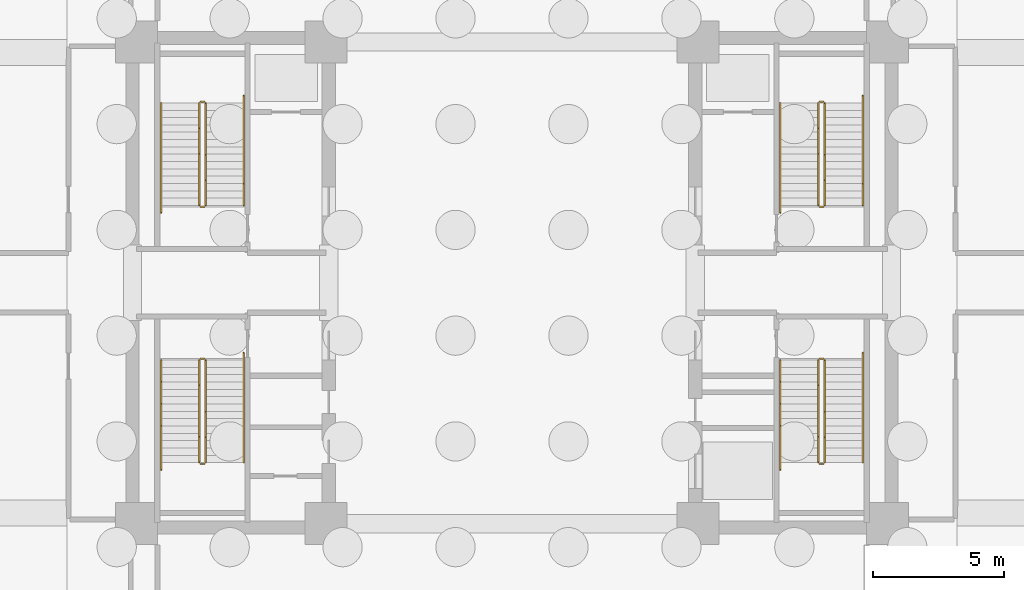
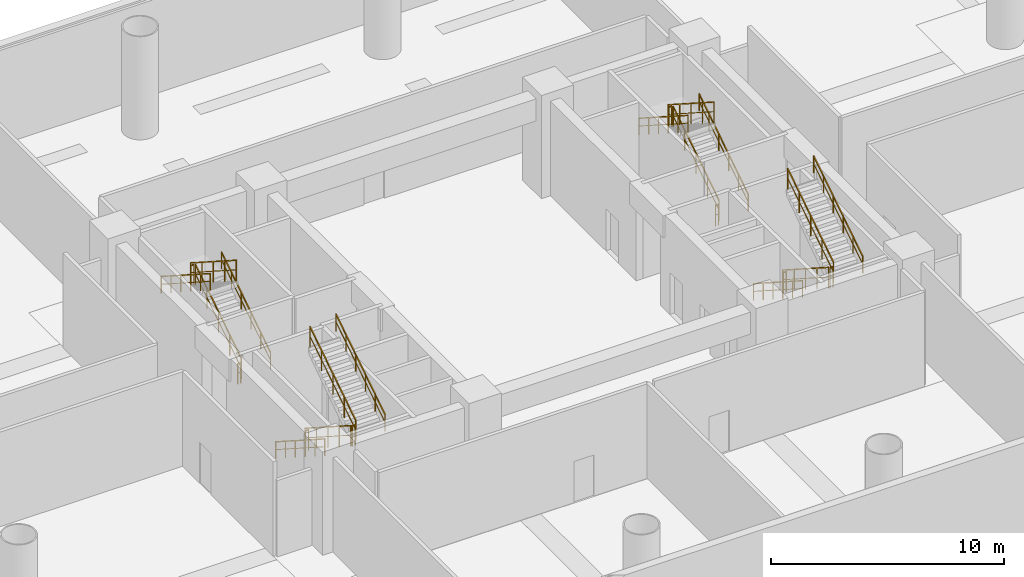
# One storey, part 6 of 7: 24 railings.
"""IFC4 building model written with IfcOpenShell, lengths in metres."""

from ifc_helpers import new_model, si_unit, direction, frame, origin, origin_2d, place, context, subcontext, project, spatial, rectangle, extrude, material, type_object, element, save


model = new_model("IFC4")

# Units and contexts
model_context = context("Model", 3, precision=1e-05, world=origin(), true_north=direction((0.0, 1.0)))
body_context = subcontext(model_context, "Body", "Model", "MODEL_VIEW")
ifc_project = project(units=[si_unit("LENGTHUNIT", "METRE"), si_unit("AREAUNIT", "SQUARE_METRE"), si_unit("VOLUMEUNIT", "CUBIC_METRE"), si_unit("PLANEANGLEUNIT", "RADIAN"), si_unit("MASSUNIT", "GRAM", prefix="KILO")], contexts=[model_context])

# Site, building, storey
site_placement = place(None, origin())
site = spatial("IfcSite", under=ifc_project, at=site_placement, CompositionType="ELEMENT")
building_placement = place(site_placement, origin())
building = spatial("IfcBuilding", under=site, at=building_placement, Name="Zahravan Cultural Tower", CompositionType="ELEMENT")
storey_placement = place(building_placement, frame((0.0, 0.0, -5.39990234375)))
storey = spatial("IfcBuildingStorey", under=building, at=storey_placement, Name="B1", CompositionType="ELEMENT", Elevation=-5.39990234375)

# Railings
ifc_material = material(Name="Steel ASTM A572 Grade 50", Category="steel")
railing_type_1 = type_object("IfcRailingType", Name="RL-STAIR-GRD1150", PredefinedType="BALUSTRADE", material=ifc_material)
railing_1_placement = place(storey_placement, frame((24.300048828125, 29.949951171875, 0.179931640625)))
element("IfcRailing", 1, at=railing_1_placement, inside=storey, type_object=railing_type_1, Name="B1 ST-W1 stair guard 1", PredefinedType="BALUSTRADE", context=body_context, shape_type="SweptSolid", body=[
    extrude(rectangle(XDim=0.05, YDim=0.05, at=origin_2d()), frame((0.0, 0.0, 1.0751953125), z_axis=(0.0, 0.841186985886, 0.540744352514), x_axis=(-1.0, 0.0, 0.0)), (0.0, 0.0, 1.0), 4.660400390625),
    extrude(rectangle(XDim=0.032, YDim=0.032, at=origin_2d()), frame((0.0, 0.0, 0.572021484375), z_axis=(0.0, 0.841186985886, 0.540744352514), x_axis=(-1.0, 0.0, 0.0)), (0.0, 0.0, 1.0), 4.660400390625),
    extrude(rectangle(XDim=0.04, YDim=0.04, at=origin_2d()), origin(), (0.0, 0.0, 1.0), 1.10009765625),
    extrude(rectangle(XDim=0.04, YDim=0.04, at=origin_2d()), frame((0.0, 0.97998046875, 0.6298828125)), (0.0, 0.0, 1.0), 1.10009765625),
    extrude(rectangle(XDim=0.04, YDim=0.04, at=origin_2d()), frame((0.0, 1.9599609375, 1.260009765625)), (0.0, 0.0, 1.0), 1.10009765625),
    extrude(rectangle(XDim=0.04, YDim=0.04, at=origin_2d()), frame((0.0, 2.940185546875, 1.89013671875)), (0.0, 0.0, 1.0), 1.10009765625),
    extrude(rectangle(XDim=0.04, YDim=0.04, at=origin_2d()), frame((0.0, 3.920166015625, 2.52001953125)), (0.0, 0.0, 1.0), 1.10009765625),
])
railing_2_placement = place(storey_placement, frame((24.25, 33.919921875, 2.699951171875)))
element("IfcRailing", 2, at=railing_2_placement, inside=storey, type_object=railing_type_1, Name="B1 ST-W1 stair guard 2", PredefinedType="BALUSTRADE", context=body_context, shape_type="SweptSolid", body=[
    extrude(rectangle(XDim=0.05, YDim=0.05, at=origin_2d()), frame((0.0, 0.0, 1.0751953125), z_axis=(-1.0, 0.0, 0.0), x_axis=(0.0, -1.0, 0.0)), (0.0, 0.0, 1.0), 0.14990234375),
    extrude(rectangle(XDim=0.032, YDim=0.032, at=origin_2d()), frame((0.0, 0.0, 0.572021484375), z_axis=(-1.0, 0.0, 0.0), x_axis=(0.0, -1.0, 0.0)), (0.0, 0.0, 1.0), 0.14990234375),
    extrude(rectangle(XDim=0.04, YDim=0.04, at=origin_2d()), origin(), (0.0, 0.0, 1.0), 1.10009765625),
    extrude(rectangle(XDim=0.04, YDim=0.04, at=origin_2d()), frame((-0.14990234375, 0.0, 0.0)), (0.0, 0.0, 1.0), 1.10009765625),
])
railing_3_placement = place(storey_placement, frame((24.050048828125, 33.8701171875, 2.8798828125)))
element("IfcRailing", 3, at=railing_3_placement, inside=storey, type_object=railing_type_1, Name="B1 ST-W1 stair guard 3", PredefinedType="BALUSTRADE", context=body_context, shape_type="SweptSolid", body=[
    extrude(rectangle(XDim=0.05, YDim=0.05, at=origin_2d()), frame((0.0, 0.0, 1.0751953125), z_axis=(0.0, -0.841186985886, 0.540744352514), x_axis=(1.0, 0.0, 0.0)), (0.0, 0.0, 1.0), 4.660400390625),
    extrude(rectangle(XDim=0.032, YDim=0.032, at=origin_2d()), frame((0.0, 0.0, 0.572021484375), z_axis=(0.0, -0.841186985886, 0.540744352514), x_axis=(1.0, 0.0, 0.0)), (0.0, 0.0, 1.0), 4.660400390625),
    extrude(rectangle(XDim=0.04, YDim=0.04, at=origin_2d()), origin(), (0.0, 0.0, 1.0), 1.10009765625),
    extrude(rectangle(XDim=0.04, YDim=0.04, at=origin_2d()), frame((0.0, -0.97998046875, 0.6298828125)), (0.0, 0.0, 1.0), 1.10009765625),
    extrude(rectangle(XDim=0.04, YDim=0.04, at=origin_2d()), frame((0.0, -1.9599609375, 1.260009765625)), (0.0, 0.0, 1.0), 1.10009765625),
    extrude(rectangle(XDim=0.04, YDim=0.04, at=origin_2d()), frame((0.0, -2.940185546875, 1.89013671875)), (0.0, 0.0, 1.0), 1.10009765625),
    extrude(rectangle(XDim=0.04, YDim=0.04, at=origin_2d()), frame((0.0, -3.920166015625, 2.52001953125)), (0.0, 0.0, 1.0), 1.10009765625),
])
railing_4_placement = place(storey_placement, frame((24.25, 29.89990234375, 0.0)))
element("IfcRailing", 4, at=railing_4_placement, inside=storey, type_object=railing_type_1, Name="B1 ST-W1 stair guard 4", PredefinedType="BALUSTRADE", context=body_context, shape_type="SweptSolid", body=[
    extrude(rectangle(XDim=0.05, YDim=0.05, at=origin_2d()), frame((0.0, 0.0, 1.0751953125), z_axis=(-1.0, 0.0, 0.0), x_axis=(0.0, -1.0, 0.0)), (0.0, 0.0, 1.0), 0.14990234375),
    extrude(rectangle(XDim=0.032, YDim=0.032, at=origin_2d()), frame((0.0, 0.0, 0.572021484375), z_axis=(-1.0, 0.0, 0.0), x_axis=(0.0, -1.0, 0.0)), (0.0, 0.0, 1.0), 0.14990234375),
    extrude(rectangle(XDim=0.04, YDim=0.04, at=origin_2d()), origin(), (0.0, 0.0, 1.0), 1.10009765625),
    extrude(rectangle(XDim=0.04, YDim=0.04, at=origin_2d()), frame((-0.14990234375, 0.0, 0.0)), (0.0, 0.0, 1.0), 1.10009765625),
])
railing_5_placement = place(storey_placement, frame((24.050048828125, 24.050048828125, 0.179931640625)))
element("IfcRailing", 5, at=railing_5_placement, inside=storey, type_object=railing_type_1, Name="B1 ST-W2 stair guard 1", PredefinedType="BALUSTRADE", context=body_context, shape_type="SweptSolid", body=[
    extrude(rectangle(XDim=0.05, YDim=0.05, at=origin_2d()), frame((0.0, 0.0, 1.0751953125), z_axis=(0.0, -0.841186985886, 0.540744352514), x_axis=(1.0, 0.0, 0.0)), (0.0, 0.0, 1.0), 4.660400390625),
    extrude(rectangle(XDim=0.032, YDim=0.032, at=origin_2d()), frame((0.0, 0.0, 0.572021484375), z_axis=(0.0, -0.841186985886, 0.540744352514), x_axis=(1.0, 0.0, 0.0)), (0.0, 0.0, 1.0), 4.660400390625),
    extrude(rectangle(XDim=0.04, YDim=0.04, at=origin_2d()), origin(), (0.0, 0.0, 1.0), 1.10009765625),
    extrude(rectangle(XDim=0.04, YDim=0.04, at=origin_2d()), frame((0.0, -0.97998046875, 0.6298828125)), (0.0, 0.0, 1.0), 1.10009765625),
    extrude(rectangle(XDim=0.04, YDim=0.04, at=origin_2d()), frame((0.0, -1.9599609375, 1.260009765625)), (0.0, 0.0, 1.0), 1.10009765625),
    extrude(rectangle(XDim=0.04, YDim=0.04, at=origin_2d()), frame((0.0, -2.940185546875, 1.89013671875)), (0.0, 0.0, 1.0), 1.10009765625),
    extrude(rectangle(XDim=0.04, YDim=0.04, at=origin_2d()), frame((0.0, -3.920166015625, 2.52001953125)), (0.0, 0.0, 1.0), 1.10009765625),
])
railing_6_placement = place(storey_placement, frame((24.10009765625, 20.080078125, 2.699951171875)))
element("IfcRailing", 6, at=railing_6_placement, inside=storey, type_object=railing_type_1, Name="B1 ST-W2 stair guard 2", PredefinedType="BALUSTRADE", context=body_context, shape_type="SweptSolid", body=[
    extrude(rectangle(XDim=0.05, YDim=0.05, at=origin_2d()), frame((0.0, 0.0, 1.0751953125), z_axis=(1.0, 0.0, 0.0), x_axis=(0.0, 1.0, 0.0)), (0.0, 0.0, 1.0), 0.14990234375),
    extrude(rectangle(XDim=0.032, YDim=0.032, at=origin_2d()), frame((0.0, 0.0, 0.572021484375), z_axis=(1.0, 0.0, 0.0), x_axis=(0.0, 1.0, 0.0)), (0.0, 0.0, 1.0), 0.14990234375),
    extrude(rectangle(XDim=0.04, YDim=0.04, at=origin_2d()), origin(), (0.0, 0.0, 1.0), 1.10009765625),
    extrude(rectangle(XDim=0.04, YDim=0.04, at=origin_2d()), frame((0.14990234375, 0.0, 0.0)), (0.0, 0.0, 1.0), 1.10009765625),
])
railing_7_placement = place(storey_placement, frame((24.300048828125, 20.1298828125, 2.8798828125)))
element("IfcRailing", 7, at=railing_7_placement, inside=storey, type_object=railing_type_1, Name="B1 ST-W2 stair guard 3", PredefinedType="BALUSTRADE", context=body_context, shape_type="SweptSolid", body=[
    extrude(rectangle(XDim=0.05, YDim=0.05, at=origin_2d()), frame((0.0, 0.0, 1.0751953125), z_axis=(0.0, 0.841186985886, 0.540744352514), x_axis=(-1.0, 0.0, 0.0)), (0.0, 0.0, 1.0), 4.660400390625),
    extrude(rectangle(XDim=0.032, YDim=0.032, at=origin_2d()), frame((0.0, 0.0, 0.572021484375), z_axis=(0.0, 0.841186985886, 0.540744352514), x_axis=(-1.0, 0.0, 0.0)), (0.0, 0.0, 1.0), 4.660400390625),
    extrude(rectangle(XDim=0.04, YDim=0.04, at=origin_2d()), origin(), (0.0, 0.0, 1.0), 1.10009765625),
    extrude(rectangle(XDim=0.04, YDim=0.04, at=origin_2d()), frame((0.0, 0.97998046875, 0.6298828125)), (0.0, 0.0, 1.0), 1.10009765625),
    extrude(rectangle(XDim=0.04, YDim=0.04, at=origin_2d()), frame((0.0, 1.9599609375, 1.260009765625)), (0.0, 0.0, 1.0), 1.10009765625),
    extrude(rectangle(XDim=0.04, YDim=0.04, at=origin_2d()), frame((0.0, 2.940185546875, 1.89013671875)), (0.0, 0.0, 1.0), 1.10009765625),
    extrude(rectangle(XDim=0.04, YDim=0.04, at=origin_2d()), frame((0.0, 3.920166015625, 2.52001953125)), (0.0, 0.0, 1.0), 1.10009765625),
])
railing_8_placement = place(storey_placement, frame((24.10009765625, 24.10009765625, 0.0)))
element("IfcRailing", 8, at=railing_8_placement, inside=storey, type_object=railing_type_1, Name="B1 ST-W2 stair guard 4", PredefinedType="BALUSTRADE", context=body_context, shape_type="SweptSolid", body=[
    extrude(rectangle(XDim=0.05, YDim=0.05, at=origin_2d()), frame((0.0, 0.0, 1.0751953125), z_axis=(1.0, 0.0, 0.0), x_axis=(0.0, 1.0, 0.0)), (0.0, 0.0, 1.0), 0.14990234375),
    extrude(rectangle(XDim=0.032, YDim=0.032, at=origin_2d()), frame((0.0, 0.0, 0.572021484375), z_axis=(1.0, 0.0, 0.0), x_axis=(0.0, 1.0, 0.0)), (0.0, 0.0, 1.0), 0.14990234375),
    extrude(rectangle(XDim=0.04, YDim=0.04, at=origin_2d()), origin(), (0.0, 0.0, 1.0), 1.10009765625),
    extrude(rectangle(XDim=0.04, YDim=0.04, at=origin_2d()), frame((0.14990234375, 0.0, 0.0)), (0.0, 0.0, 1.0), 1.10009765625),
])
railing_9_placement = place(storey_placement, frame((47.949951171875, 29.949951171875, 0.179931640625)))
element("IfcRailing", 9, at=railing_9_placement, inside=storey, type_object=railing_type_1, Name="B1 ST-E1 stair guard 1", PredefinedType="BALUSTRADE", context=body_context, shape_type="SweptSolid", body=[
    extrude(rectangle(XDim=0.05, YDim=0.05, at=origin_2d()), frame((0.0, 0.0, 1.0751953125), z_axis=(0.0, 0.841186985886, 0.540744352514), x_axis=(-1.0, 0.0, 0.0)), (0.0, 0.0, 1.0), 4.660400390625),
    extrude(rectangle(XDim=0.032, YDim=0.032, at=origin_2d()), frame((0.0, 0.0, 0.572021484375), z_axis=(0.0, 0.841186985886, 0.540744352514), x_axis=(-1.0, 0.0, 0.0)), (0.0, 0.0, 1.0), 4.660400390625),
    extrude(rectangle(XDim=0.04, YDim=0.04, at=origin_2d()), origin(), (0.0, 0.0, 1.0), 1.10009765625),
    extrude(rectangle(XDim=0.04, YDim=0.04, at=origin_2d()), frame((0.0, 0.97998046875, 0.6298828125)), (0.0, 0.0, 1.0), 1.10009765625),
    extrude(rectangle(XDim=0.04, YDim=0.04, at=origin_2d()), frame((0.0, 1.9599609375, 1.260009765625)), (0.0, 0.0, 1.0), 1.10009765625),
    extrude(rectangle(XDim=0.04, YDim=0.04, at=origin_2d()), frame((0.0, 2.940185546875, 1.89013671875)), (0.0, 0.0, 1.0), 1.10009765625),
    extrude(rectangle(XDim=0.04, YDim=0.04, at=origin_2d()), frame((0.0, 3.920166015625, 2.52001953125)), (0.0, 0.0, 1.0), 1.10009765625),
])
railing_10_placement = place(storey_placement, frame((47.89990234375, 33.919921875, 2.699951171875)))
element("IfcRailing", 10, at=railing_10_placement, inside=storey, type_object=railing_type_1, Name="B1 ST-E1 stair guard 2", PredefinedType="BALUSTRADE", context=body_context, shape_type="SweptSolid", body=[
    extrude(rectangle(XDim=0.05, YDim=0.05, at=origin_2d()), frame((0.0, 0.0, 1.0751953125), z_axis=(-1.0, 0.0, 0.0), x_axis=(0.0, -1.0, 0.0)), (0.0, 0.0, 1.0), 0.14990234375),
    extrude(rectangle(XDim=0.032, YDim=0.032, at=origin_2d()), frame((0.0, 0.0, 0.572021484375), z_axis=(-1.0, 0.0, 0.0), x_axis=(0.0, -1.0, 0.0)), (0.0, 0.0, 1.0), 0.14990234375),
    extrude(rectangle(XDim=0.04, YDim=0.04, at=origin_2d()), origin(), (0.0, 0.0, 1.0), 1.10009765625),
    extrude(rectangle(XDim=0.04, YDim=0.04, at=origin_2d()), frame((-0.14990234375, 0.0, 0.0)), (0.0, 0.0, 1.0), 1.10009765625),
])
railing_11_placement = place(storey_placement, frame((47.699951171875, 33.8701171875, 2.8798828125)))
element("IfcRailing", 11, at=railing_11_placement, inside=storey, type_object=railing_type_1, Name="B1 ST-E1 stair guard 3", PredefinedType="BALUSTRADE", context=body_context, shape_type="SweptSolid", body=[
    extrude(rectangle(XDim=0.05, YDim=0.05, at=origin_2d()), frame((0.0, 0.0, 1.0751953125), z_axis=(0.0, -0.841186985886, 0.540744352514), x_axis=(1.0, 0.0, 0.0)), (0.0, 0.0, 1.0), 4.660400390625),
    extrude(rectangle(XDim=0.032, YDim=0.032, at=origin_2d()), frame((0.0, 0.0, 0.572021484375), z_axis=(0.0, -0.841186985886, 0.540744352514), x_axis=(1.0, 0.0, 0.0)), (0.0, 0.0, 1.0), 4.660400390625),
    extrude(rectangle(XDim=0.04, YDim=0.04, at=origin_2d()), origin(), (0.0, 0.0, 1.0), 1.10009765625),
    extrude(rectangle(XDim=0.04, YDim=0.04, at=origin_2d()), frame((0.0, -0.97998046875, 0.6298828125)), (0.0, 0.0, 1.0), 1.10009765625),
    extrude(rectangle(XDim=0.04, YDim=0.04, at=origin_2d()), frame((0.0, -1.9599609375, 1.260009765625)), (0.0, 0.0, 1.0), 1.10009765625),
    extrude(rectangle(XDim=0.04, YDim=0.04, at=origin_2d()), frame((0.0, -2.940185546875, 1.89013671875)), (0.0, 0.0, 1.0), 1.10009765625),
    extrude(rectangle(XDim=0.04, YDim=0.04, at=origin_2d()), frame((0.0, -3.920166015625, 2.52001953125)), (0.0, 0.0, 1.0), 1.10009765625),
])
railing_12_placement = place(storey_placement, frame((47.89990234375, 29.89990234375, 0.0)))
element("IfcRailing", 12, at=railing_12_placement, inside=storey, type_object=railing_type_1, Name="B1 ST-E1 stair guard 4", PredefinedType="BALUSTRADE", context=body_context, shape_type="SweptSolid", body=[
    extrude(rectangle(XDim=0.05, YDim=0.05, at=origin_2d()), frame((0.0, 0.0, 1.0751953125), z_axis=(-1.0, 0.0, 0.0), x_axis=(0.0, -1.0, 0.0)), (0.0, 0.0, 1.0), 0.14990234375),
    extrude(rectangle(XDim=0.032, YDim=0.032, at=origin_2d()), frame((0.0, 0.0, 0.572021484375), z_axis=(-1.0, 0.0, 0.0), x_axis=(0.0, -1.0, 0.0)), (0.0, 0.0, 1.0), 0.14990234375),
    extrude(rectangle(XDim=0.04, YDim=0.04, at=origin_2d()), origin(), (0.0, 0.0, 1.0), 1.10009765625),
    extrude(rectangle(XDim=0.04, YDim=0.04, at=origin_2d()), frame((-0.14990234375, 0.0, 0.0)), (0.0, 0.0, 1.0), 1.10009765625),
])
railing_13_placement = place(storey_placement, frame((47.699951171875, 24.050048828125, 0.179931640625)))
element("IfcRailing", 13, at=railing_13_placement, inside=storey, type_object=railing_type_1, Name="B1 ST-E2 stair guard 1", PredefinedType="BALUSTRADE", context=body_context, shape_type="SweptSolid", body=[
    extrude(rectangle(XDim=0.05, YDim=0.05, at=origin_2d()), frame((0.0, 0.0, 1.0751953125), z_axis=(0.0, -0.841186985886, 0.540744352514), x_axis=(1.0, 0.0, 0.0)), (0.0, 0.0, 1.0), 4.660400390625),
    extrude(rectangle(XDim=0.032, YDim=0.032, at=origin_2d()), frame((0.0, 0.0, 0.572021484375), z_axis=(0.0, -0.841186985886, 0.540744352514), x_axis=(1.0, 0.0, 0.0)), (0.0, 0.0, 1.0), 4.660400390625),
    extrude(rectangle(XDim=0.04, YDim=0.04, at=origin_2d()), origin(), (0.0, 0.0, 1.0), 1.10009765625),
    extrude(rectangle(XDim=0.04, YDim=0.04, at=origin_2d()), frame((0.0, -0.97998046875, 0.6298828125)), (0.0, 0.0, 1.0), 1.10009765625),
    extrude(rectangle(XDim=0.04, YDim=0.04, at=origin_2d()), frame((0.0, -1.9599609375, 1.260009765625)), (0.0, 0.0, 1.0), 1.10009765625),
    extrude(rectangle(XDim=0.04, YDim=0.04, at=origin_2d()), frame((0.0, -2.940185546875, 1.89013671875)), (0.0, 0.0, 1.0), 1.10009765625),
    extrude(rectangle(XDim=0.04, YDim=0.04, at=origin_2d()), frame((0.0, -3.920166015625, 2.52001953125)), (0.0, 0.0, 1.0), 1.10009765625),
])
railing_14_placement = place(storey_placement, frame((47.75, 20.080078125, 2.699951171875)))
element("IfcRailing", 14, at=railing_14_placement, inside=storey, type_object=railing_type_1, Name="B1 ST-E2 stair guard 2", PredefinedType="BALUSTRADE", context=body_context, shape_type="SweptSolid", body=[
    extrude(rectangle(XDim=0.05, YDim=0.05, at=origin_2d()), frame((0.0, 0.0, 1.0751953125), z_axis=(1.0, 0.0, 0.0), x_axis=(0.0, 1.0, 0.0)), (0.0, 0.0, 1.0), 0.14990234375),
    extrude(rectangle(XDim=0.032, YDim=0.032, at=origin_2d()), frame((0.0, 0.0, 0.572021484375), z_axis=(1.0, 0.0, 0.0), x_axis=(0.0, 1.0, 0.0)), (0.0, 0.0, 1.0), 0.14990234375),
    extrude(rectangle(XDim=0.04, YDim=0.04, at=origin_2d()), origin(), (0.0, 0.0, 1.0), 1.10009765625),
    extrude(rectangle(XDim=0.04, YDim=0.04, at=origin_2d()), frame((0.14990234375, 0.0, 0.0)), (0.0, 0.0, 1.0), 1.10009765625),
])
railing_15_placement = place(storey_placement, frame((47.949951171875, 20.1298828125, 2.8798828125)))
element("IfcRailing", 15, at=railing_15_placement, inside=storey, type_object=railing_type_1, Name="B1 ST-E2 stair guard 3", PredefinedType="BALUSTRADE", context=body_context, shape_type="SweptSolid", body=[
    extrude(rectangle(XDim=0.05, YDim=0.05, at=origin_2d()), frame((0.0, 0.0, 1.0751953125), z_axis=(0.0, 0.841186985886, 0.540744352514), x_axis=(-1.0, 0.0, 0.0)), (0.0, 0.0, 1.0), 4.660400390625),
    extrude(rectangle(XDim=0.032, YDim=0.032, at=origin_2d()), frame((0.0, 0.0, 0.572021484375), z_axis=(0.0, 0.841186985886, 0.540744352514), x_axis=(-1.0, 0.0, 0.0)), (0.0, 0.0, 1.0), 4.660400390625),
    extrude(rectangle(XDim=0.04, YDim=0.04, at=origin_2d()), origin(), (0.0, 0.0, 1.0), 1.10009765625),
    extrude(rectangle(XDim=0.04, YDim=0.04, at=origin_2d()), frame((0.0, 0.97998046875, 0.6298828125)), (0.0, 0.0, 1.0), 1.10009765625),
    extrude(rectangle(XDim=0.04, YDim=0.04, at=origin_2d()), frame((0.0, 1.9599609375, 1.260009765625)), (0.0, 0.0, 1.0), 1.10009765625),
    extrude(rectangle(XDim=0.04, YDim=0.04, at=origin_2d()), frame((0.0, 2.940185546875, 1.89013671875)), (0.0, 0.0, 1.0), 1.10009765625),
    extrude(rectangle(XDim=0.04, YDim=0.04, at=origin_2d()), frame((0.0, 3.920166015625, 2.52001953125)), (0.0, 0.0, 1.0), 1.10009765625),
])
railing_16_placement = place(storey_placement, frame((47.75, 24.10009765625, 0.0)))
element("IfcRailing", 16, at=railing_16_placement, inside=storey, type_object=railing_type_1, Name="B1 ST-E2 stair guard 4", PredefinedType="BALUSTRADE", context=body_context, shape_type="SweptSolid", body=[
    extrude(rectangle(XDim=0.05, YDim=0.05, at=origin_2d()), frame((0.0, 0.0, 1.0751953125), z_axis=(1.0, 0.0, 0.0), x_axis=(0.0, 1.0, 0.0)), (0.0, 0.0, 1.0), 0.14990234375),
    extrude(rectangle(XDim=0.032, YDim=0.032, at=origin_2d()), frame((0.0, 0.0, 0.572021484375), z_axis=(1.0, 0.0, 0.0), x_axis=(0.0, 1.0, 0.0)), (0.0, 0.0, 1.0), 0.14990234375),
    extrude(rectangle(XDim=0.04, YDim=0.04, at=origin_2d()), origin(), (0.0, 0.0, 1.0), 1.10009765625),
    extrude(rectangle(XDim=0.04, YDim=0.04, at=origin_2d()), frame((0.14990234375, 0.0, 0.0)), (0.0, 0.0, 1.0), 1.10009765625),
])
railing_type_2 = type_object("IfcRailingType", Name="RL-STAIR-HR900", PredefinedType="HANDRAIL", material=ifc_material)
railing_17_placement = place(storey_placement, frame((25.75, 29.949951171875, 0.179931640625)))
element("IfcRailing", 17, at=railing_17_placement, inside=storey, type_object=railing_type_2, Name="B1 ST-W1 stair handrail 1", PredefinedType="HANDRAIL", context=body_context, shape_type="SweptSolid", body=[
    extrude(rectangle(XDim=0.05, YDim=0.05, at=origin_2d()), frame((0.0, 0.0, 0.875), z_axis=(0.0, 0.841180064094, 0.540755119968), x_axis=(-1.0, 0.0, 0.0)), (0.0, 0.0, 1.0), 4.992919921875),
    extrude(rectangle(XDim=0.032, YDim=0.032, at=origin_2d()), frame((0.0, 0.0, 0.468017578125), z_axis=(0.0, 0.841180064094, 0.540755119968), x_axis=(-1.0, 0.0, 0.0)), (0.0, 0.0, 1.0), 4.992919921875),
    extrude(rectangle(XDim=0.04, YDim=0.04, at=origin_2d()), origin(), (0.0, 0.0, 1.0), 0.89990234375),
    extrude(rectangle(XDim=0.04, YDim=0.04, at=origin_2d()), frame((0.0, 0.840087890625, 0.5400390625)), (0.0, 0.0, 1.0), 0.89990234375),
    extrude(rectangle(XDim=0.04, YDim=0.04, at=origin_2d()), frame((0.0, 1.679931640625, 1.080078125)), (0.0, 0.0, 1.0), 0.89990234375),
    extrude(rectangle(XDim=0.04, YDim=0.04, at=origin_2d()), frame((0.0, 2.52001953125, 1.619873046875)), (0.0, 0.0, 1.0), 0.89990234375),
    extrude(rectangle(XDim=0.04, YDim=0.04, at=origin_2d()), frame((0.0, 3.35986328125, 2.159912109375)), (0.0, 0.0, 1.0), 0.89990234375),
    extrude(rectangle(XDim=0.04, YDim=0.04, at=origin_2d()), frame((0.0, 4.199951171875, 2.699951171875)), (0.0, 0.0, 1.0), 0.89990234375),
])
railing_18_placement = place(storey_placement, frame((22.60009765625, 33.8701171875, 2.8798828125)))
element("IfcRailing", 18, at=railing_18_placement, inside=storey, type_object=railing_type_2, Name="B1 ST-W1 stair handrail 2", PredefinedType="HANDRAIL", context=body_context, shape_type="SweptSolid", body=[
    extrude(rectangle(XDim=0.05, YDim=0.05, at=origin_2d()), frame((0.0, 0.0, 0.875), z_axis=(0.0, -0.841194361566, 0.540732878665), x_axis=(1.0, 0.0, 0.0)), (0.0, 0.0, 1.0), 4.9931640625),
    extrude(rectangle(XDim=0.032, YDim=0.032, at=origin_2d()), frame((0.0, 0.0, 0.468017578125), z_axis=(0.0, -0.841194361566, 0.540732878665), x_axis=(1.0, 0.0, 0.0)), (0.0, 0.0, 1.0), 4.9931640625),
    extrude(rectangle(XDim=0.04, YDim=0.04, at=origin_2d()), origin(), (0.0, 0.0, 1.0), 0.89990234375),
    extrude(rectangle(XDim=0.04, YDim=0.04, at=origin_2d()), frame((0.0, -0.840087890625, 0.5400390625)), (0.0, 0.0, 1.0), 0.89990234375),
    extrude(rectangle(XDim=0.04, YDim=0.04, at=origin_2d()), frame((0.0, -1.68017578125, 1.080078125)), (0.0, 0.0, 1.0), 0.89990234375),
    extrude(rectangle(XDim=0.04, YDim=0.04, at=origin_2d()), frame((0.0, -2.52001953125, 1.619873046875)), (0.0, 0.0, 1.0), 0.89990234375),
    extrude(rectangle(XDim=0.04, YDim=0.04, at=origin_2d()), frame((0.0, -3.360107421875, 2.159912109375)), (0.0, 0.0, 1.0), 0.89990234375),
    extrude(rectangle(XDim=0.04, YDim=0.04, at=origin_2d()), frame((0.0, -4.2001953125, 2.699951171875)), (0.0, 0.0, 1.0), 0.89990234375),
])
railing_19_placement = place(storey_placement, frame((22.60009765625, 24.050048828125, 0.179931640625)))
element("IfcRailing", 19, at=railing_19_placement, inside=storey, type_object=railing_type_2, Name="B1 ST-W2 stair handrail 1", PredefinedType="HANDRAIL", context=body_context, shape_type="SweptSolid", body=[
    extrude(rectangle(XDim=0.05, YDim=0.05, at=origin_2d()), frame((0.0, 0.0, 0.875), z_axis=(0.0, -0.841180064094, 0.540755119968), x_axis=(1.0, 0.0, 0.0)), (0.0, 0.0, 1.0), 4.992919921875),
    extrude(rectangle(XDim=0.032, YDim=0.032, at=origin_2d()), frame((0.0, 0.0, 0.468017578125), z_axis=(0.0, -0.841180064094, 0.540755119968), x_axis=(1.0, 0.0, 0.0)), (0.0, 0.0, 1.0), 4.992919921875),
    extrude(rectangle(XDim=0.04, YDim=0.04, at=origin_2d()), origin(), (0.0, 0.0, 1.0), 0.89990234375),
    extrude(rectangle(XDim=0.04, YDim=0.04, at=origin_2d()), frame((0.0, -0.840087890625, 0.5400390625)), (0.0, 0.0, 1.0), 0.89990234375),
    extrude(rectangle(XDim=0.04, YDim=0.04, at=origin_2d()), frame((0.0, -1.679931640625, 1.080078125)), (0.0, 0.0, 1.0), 0.89990234375),
    extrude(rectangle(XDim=0.04, YDim=0.04, at=origin_2d()), frame((0.0, -2.52001953125, 1.619873046875)), (0.0, 0.0, 1.0), 0.89990234375),
    extrude(rectangle(XDim=0.04, YDim=0.04, at=origin_2d()), frame((0.0, -3.35986328125, 2.159912109375)), (0.0, 0.0, 1.0), 0.89990234375),
    extrude(rectangle(XDim=0.04, YDim=0.04, at=origin_2d()), frame((0.0, -4.199951171875, 2.699951171875)), (0.0, 0.0, 1.0), 0.89990234375),
])
railing_20_placement = place(storey_placement, frame((25.75, 20.1298828125, 2.8798828125)))
element("IfcRailing", 20, at=railing_20_placement, inside=storey, type_object=railing_type_2, Name="B1 ST-W2 stair handrail 2", PredefinedType="HANDRAIL", context=body_context, shape_type="SweptSolid", body=[
    extrude(rectangle(XDim=0.05, YDim=0.05, at=origin_2d()), frame((0.0, 0.0, 0.875), z_axis=(0.0, 0.841194361566, 0.540732878665), x_axis=(-1.0, 0.0, 0.0)), (0.0, 0.0, 1.0), 4.9931640625),
    extrude(rectangle(XDim=0.032, YDim=0.032, at=origin_2d()), frame((0.0, 0.0, 0.468017578125), z_axis=(0.0, 0.841194361566, 0.540732878665), x_axis=(-1.0, 0.0, 0.0)), (0.0, 0.0, 1.0), 4.9931640625),
    extrude(rectangle(XDim=0.04, YDim=0.04, at=origin_2d()), origin(), (0.0, 0.0, 1.0), 0.89990234375),
    extrude(rectangle(XDim=0.04, YDim=0.04, at=origin_2d()), frame((0.0, 0.840087890625, 0.5400390625)), (0.0, 0.0, 1.0), 0.89990234375),
    extrude(rectangle(XDim=0.04, YDim=0.04, at=origin_2d()), frame((0.0, 1.68017578125, 1.080078125)), (0.0, 0.0, 1.0), 0.89990234375),
    extrude(rectangle(XDim=0.04, YDim=0.04, at=origin_2d()), frame((0.0, 2.52001953125, 1.619873046875)), (0.0, 0.0, 1.0), 0.89990234375),
    extrude(rectangle(XDim=0.04, YDim=0.04, at=origin_2d()), frame((0.0, 3.360107421875, 2.159912109375)), (0.0, 0.0, 1.0), 0.89990234375),
    extrude(rectangle(XDim=0.04, YDim=0.04, at=origin_2d()), frame((0.0, 4.2001953125, 2.699951171875)), (0.0, 0.0, 1.0), 0.89990234375),
])
railing_21_placement = place(storey_placement, frame((49.39990234375, 29.949951171875, 0.179931640625)))
element("IfcRailing", 21, at=railing_21_placement, inside=storey, type_object=railing_type_2, Name="B1 ST-E1 stair handrail 1", PredefinedType="HANDRAIL", context=body_context, shape_type="SweptSolid", body=[
    extrude(rectangle(XDim=0.05, YDim=0.05, at=origin_2d()), frame((0.0, 0.0, 0.875), z_axis=(0.0, 0.841180064094, 0.540755119968), x_axis=(-1.0, 0.0, 0.0)), (0.0, 0.0, 1.0), 4.992919921875),
    extrude(rectangle(XDim=0.032, YDim=0.032, at=origin_2d()), frame((0.0, 0.0, 0.468017578125), z_axis=(0.0, 0.841180064094, 0.540755119968), x_axis=(-1.0, 0.0, 0.0)), (0.0, 0.0, 1.0), 4.992919921875),
    extrude(rectangle(XDim=0.04, YDim=0.04, at=origin_2d()), origin(), (0.0, 0.0, 1.0), 0.89990234375),
    extrude(rectangle(XDim=0.04, YDim=0.04, at=origin_2d()), frame((0.0, 0.840087890625, 0.5400390625)), (0.0, 0.0, 1.0), 0.89990234375),
    extrude(rectangle(XDim=0.04, YDim=0.04, at=origin_2d()), frame((0.0, 1.679931640625, 1.080078125)), (0.0, 0.0, 1.0), 0.89990234375),
    extrude(rectangle(XDim=0.04, YDim=0.04, at=origin_2d()), frame((0.0, 2.52001953125, 1.619873046875)), (0.0, 0.0, 1.0), 0.89990234375),
    extrude(rectangle(XDim=0.04, YDim=0.04, at=origin_2d()), frame((0.0, 3.35986328125, 2.159912109375)), (0.0, 0.0, 1.0), 0.89990234375),
    extrude(rectangle(XDim=0.04, YDim=0.04, at=origin_2d()), frame((0.0, 4.199951171875, 2.699951171875)), (0.0, 0.0, 1.0), 0.89990234375),
])
railing_22_placement = place(storey_placement, frame((46.25, 33.8701171875, 2.8798828125)))
element("IfcRailing", 22, at=railing_22_placement, inside=storey, type_object=railing_type_2, Name="B1 ST-E1 stair handrail 2", PredefinedType="HANDRAIL", context=body_context, shape_type="SweptSolid", body=[
    extrude(rectangle(XDim=0.05, YDim=0.05, at=origin_2d()), frame((0.0, 0.0, 0.875), z_axis=(0.0, -0.841194361566, 0.540732878665), x_axis=(1.0, 0.0, 0.0)), (0.0, 0.0, 1.0), 4.9931640625),
    extrude(rectangle(XDim=0.032, YDim=0.032, at=origin_2d()), frame((0.0, 0.0, 0.468017578125), z_axis=(0.0, -0.841194361566, 0.540732878665), x_axis=(1.0, 0.0, 0.0)), (0.0, 0.0, 1.0), 4.9931640625),
    extrude(rectangle(XDim=0.04, YDim=0.04, at=origin_2d()), origin(), (0.0, 0.0, 1.0), 0.89990234375),
    extrude(rectangle(XDim=0.04, YDim=0.04, at=origin_2d()), frame((0.0, -0.840087890625, 0.5400390625)), (0.0, 0.0, 1.0), 0.89990234375),
    extrude(rectangle(XDim=0.04, YDim=0.04, at=origin_2d()), frame((0.0, -1.68017578125, 1.080078125)), (0.0, 0.0, 1.0), 0.89990234375),
    extrude(rectangle(XDim=0.04, YDim=0.04, at=origin_2d()), frame((0.0, -2.52001953125, 1.619873046875)), (0.0, 0.0, 1.0), 0.89990234375),
    extrude(rectangle(XDim=0.04, YDim=0.04, at=origin_2d()), frame((0.0, -3.360107421875, 2.159912109375)), (0.0, 0.0, 1.0), 0.89990234375),
    extrude(rectangle(XDim=0.04, YDim=0.04, at=origin_2d()), frame((0.0, -4.2001953125, 2.699951171875)), (0.0, 0.0, 1.0), 0.89990234375),
])
railing_23_placement = place(storey_placement, frame((46.25, 24.050048828125, 0.179931640625)))
element("IfcRailing", 23, at=railing_23_placement, inside=storey, type_object=railing_type_2, Name="B1 ST-E2 stair handrail 1", PredefinedType="HANDRAIL", context=body_context, shape_type="SweptSolid", body=[
    extrude(rectangle(XDim=0.05, YDim=0.05, at=origin_2d()), frame((0.0, 0.0, 0.875), z_axis=(0.0, -0.841180064094, 0.540755119968), x_axis=(1.0, 0.0, 0.0)), (0.0, 0.0, 1.0), 4.992919921875),
    extrude(rectangle(XDim=0.032, YDim=0.032, at=origin_2d()), frame((0.0, 0.0, 0.468017578125), z_axis=(0.0, -0.841180064094, 0.540755119968), x_axis=(1.0, 0.0, 0.0)), (0.0, 0.0, 1.0), 4.992919921875),
    extrude(rectangle(XDim=0.04, YDim=0.04, at=origin_2d()), origin(), (0.0, 0.0, 1.0), 0.89990234375),
    extrude(rectangle(XDim=0.04, YDim=0.04, at=origin_2d()), frame((0.0, -0.840087890625, 0.5400390625)), (0.0, 0.0, 1.0), 0.89990234375),
    extrude(rectangle(XDim=0.04, YDim=0.04, at=origin_2d()), frame((0.0, -1.679931640625, 1.080078125)), (0.0, 0.0, 1.0), 0.89990234375),
    extrude(rectangle(XDim=0.04, YDim=0.04, at=origin_2d()), frame((0.0, -2.52001953125, 1.619873046875)), (0.0, 0.0, 1.0), 0.89990234375),
    extrude(rectangle(XDim=0.04, YDim=0.04, at=origin_2d()), frame((0.0, -3.35986328125, 2.159912109375)), (0.0, 0.0, 1.0), 0.89990234375),
    extrude(rectangle(XDim=0.04, YDim=0.04, at=origin_2d()), frame((0.0, -4.199951171875, 2.699951171875)), (0.0, 0.0, 1.0), 0.89990234375),
])
railing_24_placement = place(storey_placement, frame((49.39990234375, 20.1298828125, 2.8798828125)))
element("IfcRailing", 24, at=railing_24_placement, inside=storey, type_object=railing_type_2, Name="B1 ST-E2 stair handrail 2", PredefinedType="HANDRAIL", context=body_context, shape_type="SweptSolid", body=[
    extrude(rectangle(XDim=0.05, YDim=0.05, at=origin_2d()), frame((0.0, 0.0, 0.875), z_axis=(0.0, 0.841194361566, 0.540732878665), x_axis=(-1.0, 0.0, 0.0)), (0.0, 0.0, 1.0), 4.9931640625),
    extrude(rectangle(XDim=0.032, YDim=0.032, at=origin_2d()), frame((0.0, 0.0, 0.468017578125), z_axis=(0.0, 0.841194361566, 0.540732878665), x_axis=(-1.0, 0.0, 0.0)), (0.0, 0.0, 1.0), 4.9931640625),
    extrude(rectangle(XDim=0.04, YDim=0.04, at=origin_2d()), origin(), (0.0, 0.0, 1.0), 0.89990234375),
    extrude(rectangle(XDim=0.04, YDim=0.04, at=origin_2d()), frame((0.0, 0.840087890625, 0.5400390625)), (0.0, 0.0, 1.0), 0.89990234375),
    extrude(rectangle(XDim=0.04, YDim=0.04, at=origin_2d()), frame((0.0, 1.68017578125, 1.080078125)), (0.0, 0.0, 1.0), 0.89990234375),
    extrude(rectangle(XDim=0.04, YDim=0.04, at=origin_2d()), frame((0.0, 2.52001953125, 1.619873046875)), (0.0, 0.0, 1.0), 0.89990234375),
    extrude(rectangle(XDim=0.04, YDim=0.04, at=origin_2d()), frame((0.0, 3.360107421875, 2.159912109375)), (0.0, 0.0, 1.0), 0.89990234375),
    extrude(rectangle(XDim=0.04, YDim=0.04, at=origin_2d()), frame((0.0, 4.2001953125, 2.699951171875)), (0.0, 0.0, 1.0), 0.89990234375),
])

save(model, "model.ifc")
